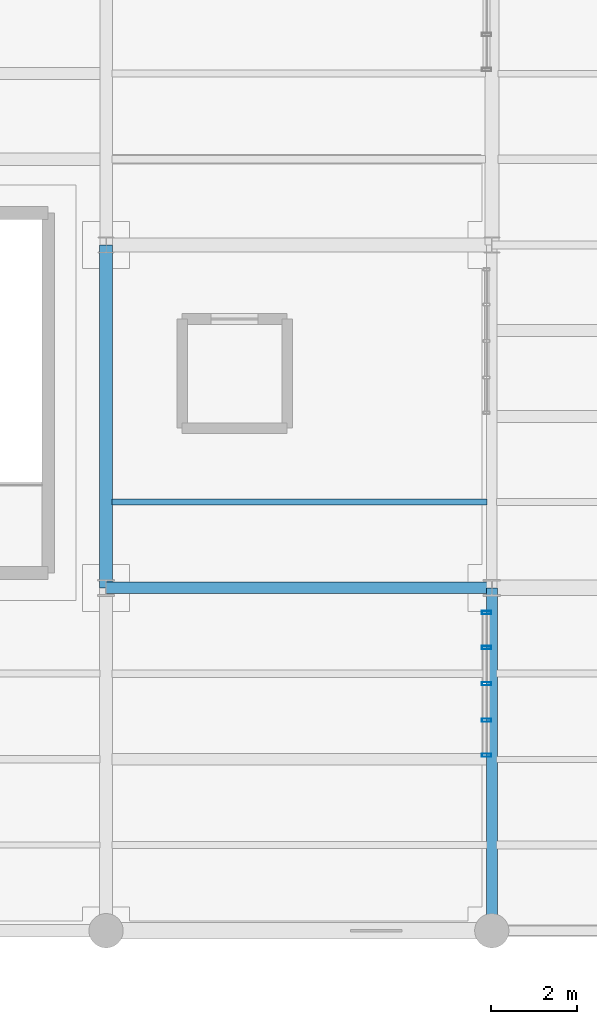
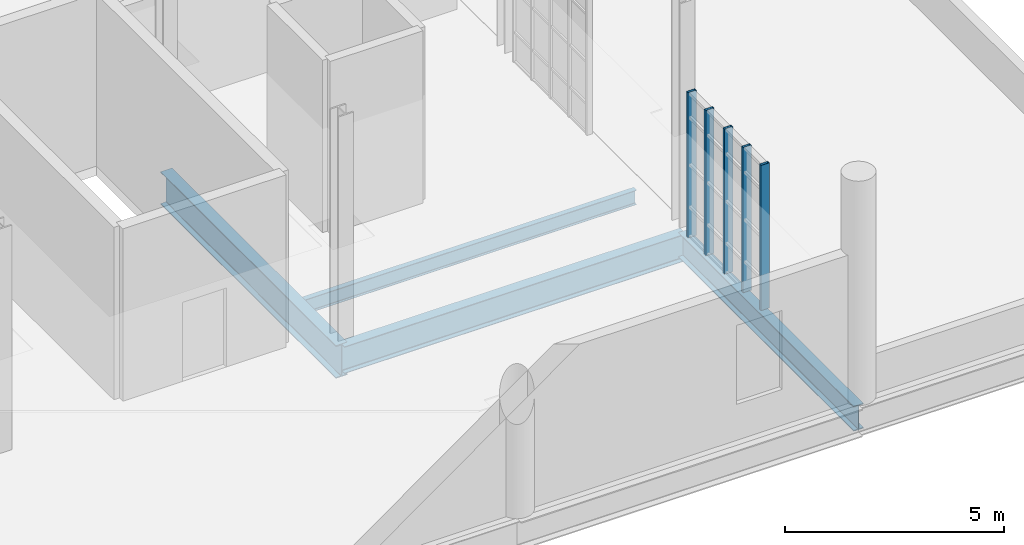
# One storey, part 33 of 118: 5 members, 4 beams, 1 element without a shape of its own.
"""IFC4 building model written with IfcOpenShell, lengths in metres."""

from ifc_helpers import new_model, si_unit, direction, frame, origin, origin_2d, place, context, subcontext, project, spatial, hollow_rectangle, i_section, extrude, material, layer, layer_set, material_profile, profile_set, type_object, element, aggregate, save


model = new_model("IFC4")

# Units and contexts
model_context = context("Model", 3, precision=1e-05, world=origin(), true_north=direction((0.0, 1.0)))
body_context = subcontext(model_context, "Body", "Model", "MODEL_VIEW")
ifc_project = project(units=[si_unit("LENGTHUNIT", "METRE"), si_unit("AREAUNIT", "SQUARE_METRE"), si_unit("VOLUMEUNIT", "CUBIC_METRE"), si_unit("PLANEANGLEUNIT", "RADIAN"), si_unit("MASSUNIT", "GRAM", prefix="KILO"), si_unit("THERMODYNAMICTEMPERATUREUNIT", "KELVIN"), si_unit("POWERUNIT", "WATT")], contexts=[model_context])

# Site, building, storey
site_placement = place(None, origin())
site = spatial("IfcSite", under=ifc_project, at=site_placement, CompositionType="ELEMENT")
building_placement = place(site_placement, origin())
building = spatial("IfcBuilding", under=site, at=building_placement, Name="Zelmaris Science Centre", CompositionType="ELEMENT")
storey_placement = place(building_placement, frame((0.0, 0.0, 15.60009765625)))
storey = spatial("IfcBuildingStorey", under=building, at=storey_placement, Name="L03", CompositionType="ELEMENT", Elevation=15.60009765625)

# Curtain wall, members
ifc_material_1 = material(Name="Anodised architectural aluminium 6063-T6", Category="aluminium")
ifc_layer = layer(ifc_material_1, 0.199951171875, Name="Anodised architectural aluminium 6063-T6")
ifc_layer_set = layer_set([ifc_layer], Name="Anodised architectural aluminium 6063-T6")
curtain_wall_type = type_object("IfcCurtainWallType", Name="Curtain Wall CW-02", PredefinedType="USERDEFINED", material=ifc_layer_set)
curtain_wall_placement = place(storey_placement, origin())
curtain_wall = element("IfcCurtainWall", 1, at=curtain_wall_placement, inside=storey, type_object=curtain_wall_type, Name="L03 Unitised curtain wall 306", ObjectType="GLAZED CURTAIN WALL", PredefinedType="USERDEFINED")
ifc_material_profile_1 = material_profile(ifc_material_1, hollow_rectangle(XDim=0.074951171875, YDim=0.219970703125, WallThickness=0.0048828125, at=origin_2d()), Name="ALU-MUL-75X220")
ifc_profile_set_1 = profile_set([ifc_material_profile_1], Name="Anodised architectural aluminium 6063-T6")
member_type = type_object("IfcMemberType", Name="ALU-MUL-75X220", PredefinedType="MULLION", material=ifc_profile_set_1)
member_1_placement = place(storey_placement, frame((134.8798828125, 15.426513671875, -0.01513671875), z_axis=(0.0, 0.0, 1.0), x_axis=(0.0, -1.0, 0.0)))
member_1 = element("IfcMember", 2, at=member_1_placement, type_object=member_type, Name="CW-02 mullion 1", PredefinedType="MULLION", context=body_context, shape_type="SweptSolid", body=[
    extrude(hollow_rectangle(XDim=0.074951171875, YDim=0.219970703125, WallThickness=0.0048828125, at=origin_2d()), origin(), (0.0, 0.0, 1.0), 4.044921875),
])
member_2_placement = place(storey_placement, frame((134.8798828125, 14.610107421875, -0.01513671875), z_axis=(0.0, 0.0, 1.0), x_axis=(0.0, -1.0, 0.0)))
member_2 = element("IfcMember", 3, at=member_2_placement, type_object=member_type, Name="CW-02 mullion 2", PredefinedType="MULLION", context=body_context, shape_type="SweptSolid", body=[
    extrude(hollow_rectangle(XDim=0.074951171875, YDim=0.219970703125, WallThickness=0.0048828125, at=origin_2d()), origin(), (0.0, 0.0, 1.0), 4.044921875),
])
member_3_placement = place(storey_placement, frame((134.8798828125, 13.760009765625, -0.01513671875), z_axis=(0.0, 0.0, 1.0), x_axis=(0.0, -1.0, 0.0)))
member_3 = element("IfcMember", 4, at=member_3_placement, type_object=member_type, Name="CW-02 mullion 3", PredefinedType="MULLION", context=body_context, shape_type="SweptSolid", body=[
    extrude(hollow_rectangle(XDim=0.074951171875, YDim=0.219970703125, WallThickness=0.0048828125, at=origin_2d()), origin(), (0.0, 0.0, 1.0), 4.044921875),
])
member_4_placement = place(storey_placement, frame((134.8798828125, 12.909912109375, -0.01513671875), z_axis=(0.0, 0.0, 1.0), x_axis=(0.0, -1.0, 0.0)))
member_4 = element("IfcMember", 5, at=member_4_placement, type_object=member_type, Name="CW-02 mullion 4", PredefinedType="MULLION", context=body_context, shape_type="SweptSolid", body=[
    extrude(hollow_rectangle(XDim=0.074951171875, YDim=0.219970703125, WallThickness=0.0048828125, at=origin_2d()), origin(), (0.0, 0.0, 1.0), 4.044921875),
])
member_5_placement = place(storey_placement, frame((134.8798828125, 12.093505859375, -0.01513671875), z_axis=(0.0, 0.0, 1.0), x_axis=(0.0, -1.0, 0.0)))
member_5 = element("IfcMember", 6, at=member_5_placement, type_object=member_type, Name="CW-02 mullion 5", PredefinedType="MULLION", context=body_context, shape_type="SweptSolid", body=[
    extrude(hollow_rectangle(XDim=0.074951171875, YDim=0.219970703125, WallThickness=0.0048828125, at=origin_2d()), origin(), (0.0, 0.0, 1.0), 4.044921875),
])
aggregate(curtain_wall, [member_1, member_2, member_3, member_4, member_5])

# Beams
ifc_material_2 = material(Name="Steel ASTM A992 Grade 50", Category="steel")
ifc_material_profile_2 = material_profile(ifc_material_2, i_section(OverallWidth=0.304931640625, OverallDepth=0.9140625, WebThickness=0.0166015625, FlangeThickness=0.02587890625, FilletRadius=0.02392578125, at=origin_2d()), Name="W36X160")
ifc_profile_set_2 = profile_set([ifc_material_profile_2], Name="Steel ASTM A992 Grade 50")
beam_type_1 = type_object("IfcBeamType", Name="Beam G-04 W36X160", PredefinedType="BEAM", material=ifc_profile_set_2)
beam_1_placement = place(storey_placement, frame((126.0, 16.0, -0.717041015625), z_axis=(0.0, 1.0, 0.0), x_axis=(-1.0, 0.0, 0.0)))
element("IfcBeam", 7, at=beam_1_placement, inside=storey, type_object=beam_type_1, Name="L03 North-south girder 714", PredefinedType="BEAM", context=body_context, shape_type="SweptSolid", body=[
    extrude(i_section(OverallWidth=0.304931640625, OverallDepth=0.9140625, WebThickness=0.0166015625, FlangeThickness=0.02587890625, FilletRadius=0.02392578125, at=origin_2d()), origin(), (0.0, 0.0, 1.0), 8.0),
])
ifc_material_profile_3 = material_profile(ifc_material_2, i_section(OverallWidth=0.257080078125, OverallDepth=0.693115234375, WebThickness=0.014404296875, FlangeThickness=0.023681640625, FilletRadius=0.01806640625, at=origin_2d()), Name="W27X114")
ifc_profile_set_3 = profile_set([ifc_material_profile_3], Name="Steel ASTM A992 Grade 50")
beam_type_2 = type_object("IfcBeamType", Name="Beam G-12 W27X114", PredefinedType="BEAM", material=ifc_profile_set_3)
beam_2_placement = place(storey_placement, frame((135.0, 8.0, -0.606689453125), z_axis=(0.0, 1.0, 0.0), x_axis=(-1.0, 0.0, 0.0)))
element("IfcBeam", 8, at=beam_2_placement, inside=storey, type_object=beam_type_2, Name="L03 North-south girder 719", PredefinedType="BEAM", context=body_context, shape_type="SweptSolid", body=[
    extrude(i_section(OverallWidth=0.257080078125, OverallDepth=0.693115234375, WebThickness=0.014404296875, FlangeThickness=0.023681640625, FilletRadius=0.01806640625, at=origin_2d()), origin(), (0.0, 0.0, 1.0), 8.0),
])
ifc_material_profile_4 = material_profile(ifc_material_2, i_section(OverallWidth=0.26708984375, OverallDepth=0.75390625, WebThickness=0.01318359375, FlangeThickness=0.01708984375, FilletRadius=0.01904296875, at=origin_2d()), Name="W30X99")
ifc_profile_set_4 = profile_set([ifc_material_profile_4], Name="Steel ASTM A992 Grade 50")
beam_type_3 = type_object("IfcBeamType", Name="Beam G-34 W30X99", PredefinedType="BEAM", material=ifc_profile_set_4)
beam_3_placement = place(storey_placement, frame((126.0, 16.0, -0.63720703125), z_axis=(1.0, 0.0, 0.0), x_axis=(0.0, 1.0, 0.0)))
element("IfcBeam", 9, at=beam_3_placement, inside=storey, type_object=beam_type_3, Name="L03 East-west girder 736", PredefinedType="BEAM", context=body_context, shape_type="SweptSolid", body=[
    extrude(i_section(OverallWidth=0.26708984375, OverallDepth=0.75390625, WebThickness=0.01318359375, FlangeThickness=0.01708984375, FilletRadius=0.01904296875, at=origin_2d()), origin(), (0.0, 0.0, 1.0), 9.0),
])
ifc_material_profile_5 = material_profile(ifc_material_2, i_section(OverallWidth=0.139892578125, OverallDepth=0.404052734375, WebThickness=0.007080078125, FlangeThickness=0.01123046875, FilletRadius=0.011962890625, at=origin_2d()), Name="W16X31")
ifc_profile_set_5 = profile_set([ifc_material_profile_5], Name="Steel ASTM A992 Grade 50")
beam_type_4 = type_object("IfcBeamType", Name="Beam J-08 W16X31", PredefinedType="JOIST", material=ifc_profile_set_5)
beam_4_placement = place(storey_placement, frame((126.137451171875, 18.0, -0.462158203125), z_axis=(1.0, 0.0, 0.0), x_axis=(0.0, 1.0, 0.0)))
element("IfcBeam", 10, at=beam_4_placement, inside=storey, type_object=beam_type_4, Name="L03 Composite floor joist 367", PredefinedType="JOIST", context=body_context, shape_type="SweptSolid", body=[
    extrude(i_section(OverallWidth=0.139892578125, OverallDepth=0.404052734375, WebThickness=0.007080078125, FlangeThickness=0.01123046875, FilletRadius=0.011962890625, at=origin_2d()), origin(), (0.0, 0.0, 1.0), 8.75048828125),
])

save(model, "model.ifc")
